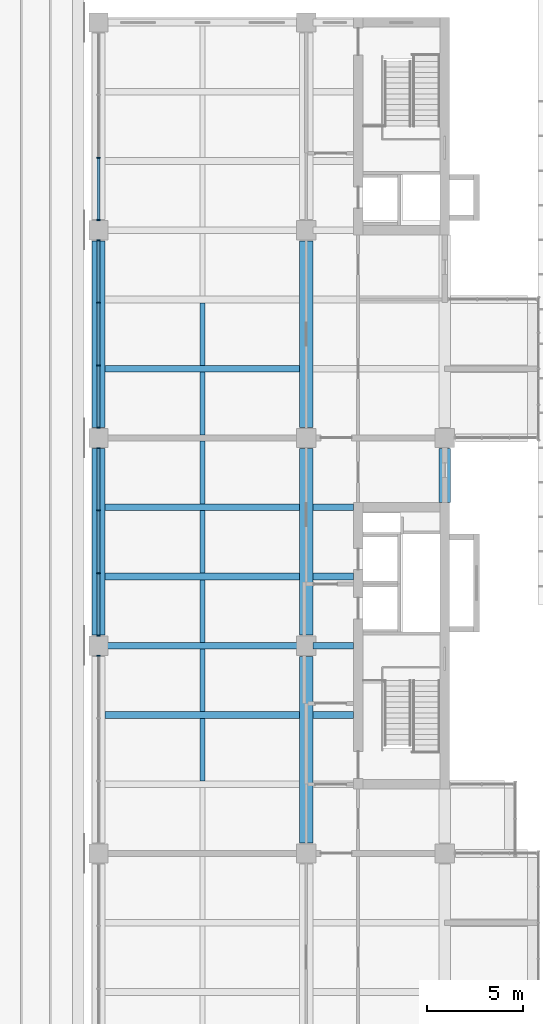
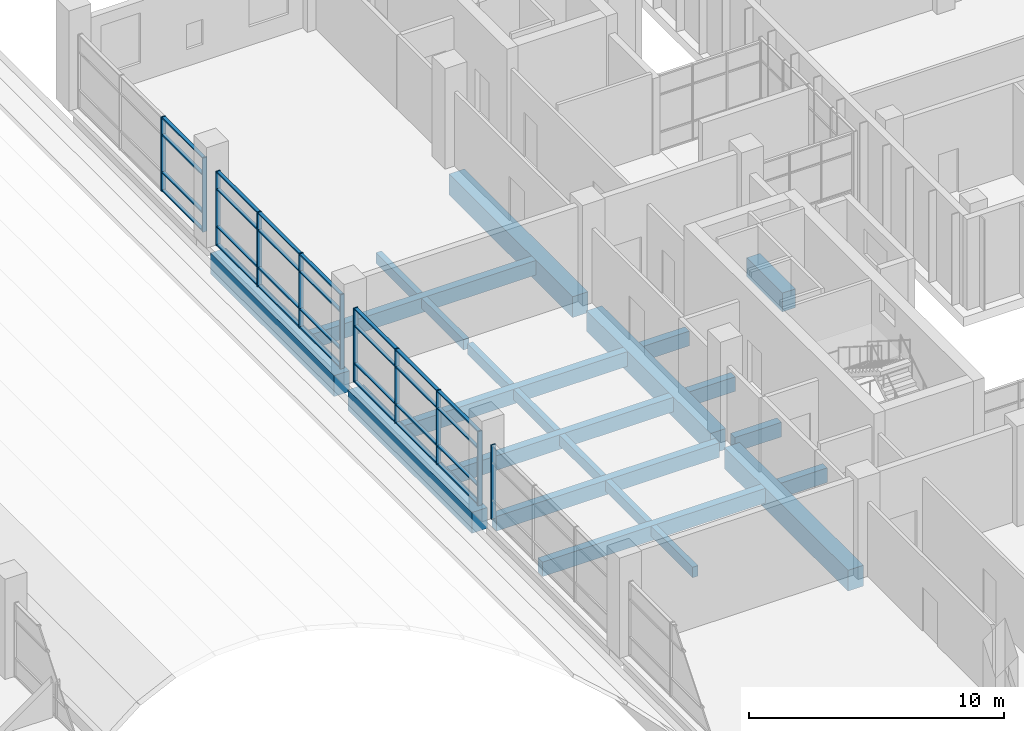
# One storey, part 14 of 45: 39 members, 22 beams, 4 elements without a shape of their own.
"""IFC4 building model written with IfcOpenShell, lengths in metres."""

from ifc_helpers import new_model, si_unit, direction, frame, origin, origin_2d, place, context, subcontext, project, spatial, rectangle, extrude, material, layer, layer_set, material_profile, profile_set, type_object, element, aggregate, save


model = new_model("IFC4")

# Units and contexts
model_context = context("Model", 3, precision=1e-05, world=origin(), true_north=direction((0.0, 1.0)))
body_context = subcontext(model_context, "Body", "Model", "MODEL_VIEW")
ifc_project = project(units=[si_unit("LENGTHUNIT", "METRE"), si_unit("AREAUNIT", "SQUARE_METRE"), si_unit("VOLUMEUNIT", "CUBIC_METRE"), si_unit("PLANEANGLEUNIT", "RADIAN"), si_unit("MASSUNIT", "GRAM", prefix="KILO")], contexts=[model_context])

# Site, building, storey
site_placement = place(None, origin())
site = spatial("IfcSite", under=ifc_project, at=site_placement, CompositionType="ELEMENT")
building_placement = place(site_placement, origin())
building = spatial("IfcBuilding", under=site, at=building_placement, Name="Basin Gate Institute", CompositionType="ELEMENT")
storey_placement = place(building_placement, frame((0.0, 0.0, 22.199951171875)))
storey = spatial("IfcBuildingStorey", under=building, at=storey_placement, Name="L04", CompositionType="ELEMENT", Elevation=22.199951171875)

# Beams
ifc_material_1 = material(Name="Concrete 40 MPa", Category="concrete")
ifc_material_profile_1 = material_profile(ifc_material_1, rectangle(XDim=0.35009765625, YDim=0.699951171875, at=origin_2d()), Name="Beam B1 350 x 700")
ifc_profile_set_1 = profile_set([ifc_material_profile_1], Name="Concrete 40 MPa")
beam_type_1 = type_object("IfcBeamType", Name="Beam B1 R120", PredefinedType="BEAM", material=ifc_profile_set_1)
beam_1_placement = place(storey_placement, frame((111.25, 63.89990234375, -0.599853515625), z_axis=(-1.0, 0.0, 0.0), x_axis=(0.0, -1.0, 0.0)))
element("IfcBeam", 1, at=beam_1_placement, inside=storey, type_object=beam_type_1, material=ifc_profile_set_1, Name="BEAM/L04/E/EW/09", PredefinedType="BEAM", context=body_context, shape_type="SweptSolid", body=[
    extrude(rectangle(XDim=0.35009765625, YDim=0.699951171875, at=origin_2d()), origin(), (0.0, 0.0, 1.0), 10.10009765625),
])
beam_2_placement = place(storey_placement, frame((114.050048828125, 63.89990234375, -0.599853515625), z_axis=(-1.0, 0.0, 0.0), x_axis=(0.0, -1.0, 0.0)))
element("IfcBeam", 2, at=beam_2_placement, inside=storey, type_object=beam_type_1, material=ifc_profile_set_1, Name="BEAM/L04/E/CORR/09", PredefinedType="BEAM", context=body_context, shape_type="SweptSolid", body=[
    extrude(rectangle(XDim=0.35009765625, YDim=0.699951171875, at=origin_2d()), origin(), (0.0, 0.0, 1.0), 2.10009765625),
])
beam_3_placement = place(storey_placement, frame((111.25, 67.5, -0.599853515625), z_axis=(-1.0, 0.0, 0.0), x_axis=(0.0, -1.0, 0.0)))
element("IfcBeam", 3, at=beam_3_placement, inside=storey, type_object=beam_type_1, material=ifc_profile_set_1, Name="BEAM/L04/E/EW/10", PredefinedType="BEAM", context=body_context, shape_type="SweptSolid", body=[
    extrude(rectangle(XDim=0.35009765625, YDim=0.699951171875, at=origin_2d()), origin(), (0.0, 0.0, 1.0), 10.10009765625),
])
beam_4_placement = place(storey_placement, frame((114.050048828125, 67.5, -0.599853515625), z_axis=(-1.0, 0.0, 0.0), x_axis=(0.0, -1.0, 0.0)))
element("IfcBeam", 4, at=beam_4_placement, inside=storey, type_object=beam_type_1, material=ifc_profile_set_1, Name="BEAM/L04/E/CORR/10", PredefinedType="BEAM", context=body_context, shape_type="SweptSolid", body=[
    extrude(rectangle(XDim=0.35009765625, YDim=0.699951171875, at=origin_2d()), origin(), (0.0, 0.0, 1.0), 2.10009765625),
])
beam_5_placement = place(storey_placement, frame((111.25, 71.10009765625, -0.599853515625), z_axis=(-1.0, 0.0, 0.0), x_axis=(0.0, -1.0, 0.0)))
element("IfcBeam", 5, at=beam_5_placement, inside=storey, type_object=beam_type_1, material=ifc_profile_set_1, Name="BEAM/L04/E/EW/11", PredefinedType="BEAM", context=body_context, shape_type="SweptSolid", body=[
    extrude(rectangle(XDim=0.35009765625, YDim=0.699951171875, at=origin_2d()), origin(), (0.0, 0.0, 1.0), 10.10009765625),
])
beam_6_placement = place(storey_placement, frame((114.050048828125, 71.10009765625, -0.599853515625), z_axis=(-1.0, 0.0, 0.0), x_axis=(0.0, -1.0, 0.0)))
element("IfcBeam", 6, at=beam_6_placement, inside=storey, type_object=beam_type_1, material=ifc_profile_set_1, Name="BEAM/L04/E/CORR/11", PredefinedType="BEAM", context=body_context, shape_type="SweptSolid", body=[
    extrude(rectangle(XDim=0.35009765625, YDim=0.699951171875, at=origin_2d()), origin(), (0.0, 0.0, 1.0), 2.10009765625),
])
beam_7_placement = place(storey_placement, frame((111.25, 74.699951171875, -0.599853515625), z_axis=(-1.0, 0.0, 0.0), x_axis=(0.0, -1.0, 0.0)))
element("IfcBeam", 7, at=beam_7_placement, inside=storey, type_object=beam_type_1, material=ifc_profile_set_1, Name="BEAM/L04/E/EW/12", PredefinedType="BEAM", context=body_context, shape_type="SweptSolid", body=[
    extrude(rectangle(XDim=0.35009765625, YDim=0.699951171875, at=origin_2d()), origin(), (0.0, 0.0, 1.0), 10.10009765625),
])
beam_8_placement = place(storey_placement, frame((114.050048828125, 74.699951171875, -0.599853515625), z_axis=(-1.0, 0.0, 0.0), x_axis=(0.0, -1.0, 0.0)))
element("IfcBeam", 8, at=beam_8_placement, inside=storey, type_object=beam_type_1, material=ifc_profile_set_1, Name="BEAM/L04/E/CORR/12", PredefinedType="BEAM", context=body_context, shape_type="SweptSolid", body=[
    extrude(rectangle(XDim=0.35009765625, YDim=0.699951171875, at=origin_2d()), origin(), (0.0, 0.0, 1.0), 2.10009765625),
])
beam_9_placement = place(storey_placement, frame((111.25, 81.89990234375, -0.599853515625), z_axis=(-1.0, 0.0, 0.0), x_axis=(0.0, -1.0, 0.0)))
element("IfcBeam", 9, at=beam_9_placement, inside=storey, type_object=beam_type_1, material=ifc_profile_set_1, Name="BEAM/L04/E/EW/14", PredefinedType="BEAM", context=body_context, shape_type="SweptSolid", body=[
    extrude(rectangle(XDim=0.35009765625, YDim=0.699951171875, at=origin_2d()), origin(), (0.0, 0.0, 1.0), 10.10009765625),
])
ifc_material_2 = material(Name="Concrete 50 MPa", Category="concrete")
ifc_material_profile_2 = material_profile(ifc_material_2, rectangle(XDim=0.60009765625, YDim=0.89990234375, at=origin_2d()), Name="Edge return beam EB3 600 x 900")
ifc_profile_set_2 = profile_set([ifc_material_profile_2], Name="Concrete 50 MPa")
beam_type_2 = type_object("IfcBeamType", Name="Edge return beam EB3 R120", PredefinedType="SPANDREL", material=ifc_profile_set_2)
beam_10_placement = place(storey_placement, frame((118.800048828125, 74.949951171875, -0.699951171875), z_axis=(0.0, 1.0, 0.0), x_axis=(-1.0, 0.0, 0.0)))
element("IfcBeam", 10, at=beam_10_placement, inside=storey, type_object=beam_type_2, material=ifc_profile_set_2, Name="BEAM/L04/E/EDGE/3", PredefinedType="SPANDREL", context=body_context, shape_type="SweptSolid", body=[
    extrude(rectangle(XDim=0.60009765625, YDim=0.89990234375, at=origin_2d()), origin(), (0.0, 0.0, 1.0), 2.800048828125),
])
ifc_material_3 = material(Name="Concrete 50 MPa", Category="concrete")
ifc_material_profile_3 = material_profile(ifc_material_3, rectangle(XDim=0.699951171875, YDim=1.0, at=origin_2d()), Name="Girder G1 700 x 1000")
ifc_profile_set_3 = profile_set([ifc_material_profile_3], Name="Concrete 50 MPa")
beam_type_3 = type_object("IfcBeamType", Name="Girder G1 R120", PredefinedType="BEAM", material=ifc_profile_set_3)
for number, where, z_axis, x_axis, name in (
    (11, (111.60009765625, 57.25, -0.75), (0.0, 1.0, 0.0), (-1.0, 0.0, 0.0), "GIR/L04/E8/3"),
    (12, (111.60009765625, 68.050048828125, -0.75), (0.0, 1.0, 0.0), (-1.0, 0.0, 0.0), "GIR/L04/E8/4"),
    (13, (111.60009765625, 78.85009765625, -0.75), (0.0, 1.0, 0.0), (-1.0, 0.0, 0.0), "GIR/L04/E8/5"),
    (14, (100.800048828125, 68.050048828125, -0.75), (0.0, 1.0, 0.0), (-1.0, 0.0, 0.0), "GIR/L04/E7/4"),
    (15, (100.800048828125, 78.85009765625, -0.75), (0.0, 1.0, 0.0), (-1.0, 0.0, 0.0), "GIR/L04/E7/5"),
):
    element("IfcBeam", number, at=place(storey_placement, frame(where, z_axis=z_axis, x_axis=x_axis)), inside=storey, type_object=beam_type_3, material=ifc_profile_set_3, Name=name, PredefinedType="BEAM", context=body_context, shape_type="SweptSolid", body=[
        extrude(rectangle(XDim=0.699951171875, YDim=1.0, at=origin_2d()), origin(), (0.0, 0.0, 1.0), 9.699951171875),
    ])

# Curtain wall, member
ifc_material_4 = material(Name="Aluminium-framed glazing", Category="aluminium")
ifc_layer = layer(ifc_material_4, 0.199951171875)
ifc_layer_set = layer_set([ifc_layer], Name="Atrium curtain wall CW2")
curtain_wall_type = type_object("IfcCurtainWallType", Name="Atrium curtain wall CW2", PredefinedType="NOTDEFINED", material=ifc_layer_set)
curtain_wall_1_placement = place(storey_placement, origin())
curtain_wall_1 = element("IfcCurtainWall", 16, at=curtain_wall_1_placement, inside=storey, type_object=curtain_wall_type, material=ifc_layer_set, Name="Atrium curtain wall E wing atrium bay 3 L04", PredefinedType="NOTDEFINED")
ifc_material_5 = material(Name="Aluminium", Category="aluminium")
ifc_material_profile_4 = material_profile(ifc_material_5, rectangle(XDim=0.199951171875, YDim=0.06005859375, at=origin_2d()), Name="Mullion MU2 200 x 60")
ifc_profile_set_4 = profile_set([ifc_material_profile_4], Name="Aluminium")
member_type_1 = type_object("IfcMemberType", Name="Mullion MU2", PredefinedType="MULLION", material=ifc_profile_set_4)
member_1_placement = place(storey_placement, frame((100.800048828125, 66.969970703125, 0.0), z_axis=(0.0, 0.0, 1.0), x_axis=(-1.0, 0.0, 0.0)))
member_1 = element("IfcMember", 17, at=member_1_placement, type_object=member_type_1, material=ifc_profile_set_4, Name="CW2 mullion 4", PredefinedType="MULLION", context=body_context, shape_type="SweptSolid", body=[
    extrude(rectangle(XDim=0.199951171875, YDim=0.06005859375, at=origin_2d()), origin(), (0.0, 0.0, 1.0), 3.550048828125),
])
aggregate(curtain_wall_1, [member_1])

# Curtain wall, members
curtain_wall_2_placement = place(storey_placement, origin())
curtain_wall_2 = element("IfcCurtainWall", 18, at=curtain_wall_2_placement, inside=storey, type_object=curtain_wall_type, material=ifc_layer_set, Name="Atrium curtain wall E wing atrium bay 4 L04", PredefinedType="NOTDEFINED")
member_2_placement = place(storey_placement, frame((100.800048828125, 68.030029296875, 0.0), z_axis=(0.0, 0.0, 1.0), x_axis=(-1.0, 0.0, 0.0)))
member_2 = element("IfcMember", 19, at=member_2_placement, type_object=member_type_1, material=ifc_profile_set_4, Name="CW2 mullion 1", PredefinedType="MULLION", context=body_context, shape_type="SweptSolid", body=[
    extrude(rectangle(XDim=0.199951171875, YDim=0.06005859375, at=origin_2d()), origin(), (0.0, 0.0, 1.0), 3.550048828125),
])
member_3_placement = place(storey_placement, frame((100.800048828125, 71.2666015625, 0.0), z_axis=(0.0, 0.0, 1.0), x_axis=(-1.0, 0.0, 0.0)))
member_3 = element("IfcMember", 20, at=member_3_placement, type_object=member_type_1, material=ifc_profile_set_4, Name="CW2 mullion 2", PredefinedType="MULLION", context=body_context, shape_type="SweptSolid", body=[
    extrude(rectangle(XDim=0.199951171875, YDim=0.06005859375, at=origin_2d()), origin(), (0.0, 0.0, 1.0), 3.550048828125),
])
member_4_placement = place(storey_placement, frame((100.800048828125, 74.533447265625, 0.0), z_axis=(0.0, 0.0, 1.0), x_axis=(-1.0, 0.0, 0.0)))
member_4 = element("IfcMember", 21, at=member_4_placement, type_object=member_type_1, material=ifc_profile_set_4, Name="CW2 mullion 3", PredefinedType="MULLION", context=body_context, shape_type="SweptSolid", body=[
    extrude(rectangle(XDim=0.199951171875, YDim=0.06005859375, at=origin_2d()), origin(), (0.0, 0.0, 1.0), 3.550048828125),
])
member_5_placement = place(storey_placement, frame((100.800048828125, 77.77001953125, 0.0), z_axis=(0.0, 0.0, 1.0), x_axis=(-1.0, 0.0, 0.0)))
member_5 = element("IfcMember", 22, at=member_5_placement, type_object=member_type_1, material=ifc_profile_set_4, Name="CW2 mullion 4", PredefinedType="MULLION", context=body_context, shape_type="SweptSolid", body=[
    extrude(rectangle(XDim=0.199951171875, YDim=0.06005859375, at=origin_2d()), origin(), (0.0, 0.0, 1.0), 3.550048828125),
])

curtain_wall_3_placement = place(storey_placement, origin())
curtain_wall_3 = element("IfcCurtainWall", 23, at=curtain_wall_3_placement, inside=storey, type_object=curtain_wall_type, material=ifc_layer_set, Name="Atrium curtain wall E wing atrium bay 5 L04", PredefinedType="NOTDEFINED")
member_6_placement = place(storey_placement, frame((100.800048828125, 78.830078125, 0.0), z_axis=(0.0, 0.0, 1.0), x_axis=(-1.0, 0.0, 0.0)))
member_6 = element("IfcMember", 24, at=member_6_placement, type_object=member_type_1, material=ifc_profile_set_4, Name="CW2 mullion 1", PredefinedType="MULLION", context=body_context, shape_type="SweptSolid", body=[
    extrude(rectangle(XDim=0.199951171875, YDim=0.06005859375, at=origin_2d()), origin(), (0.0, 0.0, 1.0), 3.550048828125),
])
member_7_placement = place(storey_placement, frame((100.800048828125, 82.066650390625, 0.0), z_axis=(0.0, 0.0, 1.0), x_axis=(-1.0, 0.0, 0.0)))
member_7 = element("IfcMember", 25, at=member_7_placement, type_object=member_type_1, material=ifc_profile_set_4, Name="CW2 mullion 2", PredefinedType="MULLION", context=body_context, shape_type="SweptSolid", body=[
    extrude(rectangle(XDim=0.199951171875, YDim=0.06005859375, at=origin_2d()), origin(), (0.0, 0.0, 1.0), 3.550048828125),
])
member_8_placement = place(storey_placement, frame((100.800048828125, 85.333251953125, 0.0), z_axis=(0.0, 0.0, 1.0), x_axis=(-1.0, 0.0, 0.0)))
member_8 = element("IfcMember", 26, at=member_8_placement, type_object=member_type_1, material=ifc_profile_set_4, Name="CW2 mullion 3", PredefinedType="MULLION", context=body_context, shape_type="SweptSolid", body=[
    extrude(rectangle(XDim=0.199951171875, YDim=0.06005859375, at=origin_2d()), origin(), (0.0, 0.0, 1.0), 3.550048828125),
])
member_9_placement = place(storey_placement, frame((100.800048828125, 88.570068359375, 0.0), z_axis=(0.0, 0.0, 1.0), x_axis=(-1.0, 0.0, 0.0)))
member_9 = element("IfcMember", 27, at=member_9_placement, type_object=member_type_1, material=ifc_profile_set_4, Name="CW2 mullion 4", PredefinedType="MULLION", context=body_context, shape_type="SweptSolid", body=[
    extrude(rectangle(XDim=0.199951171875, YDim=0.06005859375, at=origin_2d()), origin(), (0.0, 0.0, 1.0), 3.550048828125),
])

curtain_wall_4_placement = place(storey_placement, origin())
curtain_wall_4 = element("IfcCurtainWall", 28, at=curtain_wall_4_placement, inside=storey, type_object=curtain_wall_type, material=ifc_layer_set, Name="Atrium curtain wall E wing atrium bay 6 L04", PredefinedType="NOTDEFINED")
member_10_placement = place(storey_placement, frame((100.800048828125, 89.6298828125, 0.0), z_axis=(0.0, 0.0, 1.0), x_axis=(-1.0, 0.0, 0.0)))
member_10 = element("IfcMember", 29, at=member_10_placement, type_object=member_type_1, material=ifc_profile_set_4, Name="CW2 mullion 1", PredefinedType="MULLION", context=body_context, shape_type="SweptSolid", body=[
    extrude(rectangle(XDim=0.199951171875, YDim=0.06005859375, at=origin_2d()), origin(), (0.0, 0.0, 1.0), 3.550048828125),
])
member_11_placement = place(storey_placement, frame((100.800048828125, 92.86669921875, 0.0), z_axis=(0.0, 0.0, 1.0), x_axis=(-1.0, 0.0, 0.0)))
member_11 = element("IfcMember", 30, at=member_11_placement, type_object=member_type_1, material=ifc_profile_set_4, Name="CW2 mullion 2", PredefinedType="MULLION", context=body_context, shape_type="SweptSolid", body=[
    extrude(rectangle(XDim=0.199951171875, YDim=0.06005859375, at=origin_2d()), origin(), (0.0, 0.0, 1.0), 3.550048828125),
])

# Beams
ifc_material_6 = material(Name="Concrete 40 MPa", Category="concrete")
ifc_material_profile_5 = material_profile(ifc_material_6, rectangle(XDim=0.25, YDim=0.5, at=origin_2d()), Name="Rib R1 250 x 500")
ifc_profile_set_5 = profile_set([ifc_material_profile_5], Name="Concrete 40 MPa")
beam_type_4 = type_object("IfcBeamType", Name="Rib R1 R120", PredefinedType="JOIST", material=ifc_profile_set_5)
for number, where, z_axis, x_axis, name in (
    (31, (106.199951171875, 60.47509765625, -0.5), (0.0, 1.0, 0.0), (-1.0, 0.0, 0.0), "BEAM/L04/E/RIB/08"),
    (32, (106.199951171875, 64.074951171875, -0.5), (0.0, 1.0, 0.0), (-1.0, 0.0, 0.0), "BEAM/L04/E/RIB/09"),
    (33, (106.199951171875, 67.675048828125, -0.5), (0.0, 1.0, 0.0), (-1.0, 0.0, 0.0), "BEAM/L04/E/RIB/10"),
    (34, (106.199951171875, 71.27490234375, -0.5), (0.0, 1.0, 0.0), (-1.0, 0.0, 0.0), "BEAM/L04/E/RIB/11"),
):
    element("IfcBeam", number, at=place(storey_placement, frame(where, z_axis=z_axis, x_axis=x_axis)), inside=storey, type_object=beam_type_4, material=ifc_profile_set_5, Name=name, PredefinedType="JOIST", context=body_context, shape_type="SweptSolid", body=[
        extrude(rectangle(XDim=0.25, YDim=0.5, at=origin_2d()), origin(), (0.0, 0.0, 1.0), 3.25),
    ])
beam_11_placement = place(storey_placement, frame((106.199951171875, 74.875, -0.5), z_axis=(0.0, 1.0, 0.0), x_axis=(-1.0, 0.0, 0.0)))
element("IfcBeam", 35, at=beam_11_placement, inside=storey, type_object=beam_type_4, material=ifc_profile_set_5, Name="BEAM/L04/E/RIB/12", PredefinedType="JOIST", context=body_context, shape_type="SweptSolid", body=[
    extrude(rectangle(XDim=0.25, YDim=0.5, at=origin_2d()), origin(), (0.0, 0.0, 1.0), 3.27490234375),
])
beam_12_placement = place(storey_placement, frame((106.199951171875, 78.449951171875, -0.5), z_axis=(0.0, 1.0, 0.0), x_axis=(-1.0, 0.0, 0.0)))
element("IfcBeam", 36, at=beam_12_placement, inside=storey, type_object=beam_type_4, material=ifc_profile_set_5, Name="BEAM/L04/E/RIB/13", PredefinedType="JOIST", context=body_context, shape_type="SweptSolid", body=[
    extrude(rectangle(XDim=0.25, YDim=0.5, at=origin_2d()), origin(), (0.0, 0.0, 1.0), 3.275146484375),
])
beam_13_placement = place(storey_placement, frame((106.199951171875, 82.074951171875, -0.5), z_axis=(0.0, 1.0, 0.0), x_axis=(-1.0, 0.0, 0.0)))
element("IfcBeam", 37, at=beam_13_placement, inside=storey, type_object=beam_type_4, material=ifc_profile_set_5, Name="BEAM/L04/E/RIB/14", PredefinedType="JOIST", context=body_context, shape_type="SweptSolid", body=[
    extrude(rectangle(XDim=0.25, YDim=0.5, at=origin_2d()), origin(), (0.0, 0.0, 1.0), 3.25),
])

# Member
ifc_material_7 = material(Name="Aluminium", Category="aluminium")
ifc_material_profile_6 = material_profile(ifc_material_7, rectangle(XDim=0.14990234375, YDim=0.06005859375, at=origin_2d()), Name="Transom TR2 150 x 60")
ifc_profile_set_6 = profile_set([ifc_material_profile_6], Name="Aluminium")
member_type_2 = type_object("IfcMemberType", Name="Transom TR2", PredefinedType="USERDEFINED", material=ifc_profile_set_6)
member_12_placement = place(storey_placement, frame((100.800048828125, 68.06005859375, 0.030029296875), z_axis=(0.0, 1.0, 0.0), x_axis=(-1.0, 0.0, 0.0)))
member_12 = element("IfcMember", 38, at=member_12_placement, type_object=member_type_2, material=ifc_profile_set_6, Name="CW2 transom 1.1", ObjectType="TRANSOM", PredefinedType="USERDEFINED", context=body_context, shape_type="SweptSolid", body=[
    extrude(rectangle(XDim=0.14990234375, YDim=0.06005859375, at=origin_2d()), origin(), (0.0, 0.0, 1.0), 3.176513671875),
])

member_13_placement = place(storey_placement, frame((100.800048828125, 68.06005859375, 0.900146484375), z_axis=(0.0, 1.0, 0.0), x_axis=(-1.0, 0.0, 0.0)))
member_13 = element("IfcMember", 39, at=member_13_placement, type_object=member_type_2, material=ifc_profile_set_6, Name="CW2 transom 1.2", ObjectType="TRANSOM", PredefinedType="USERDEFINED", context=body_context, shape_type="SweptSolid", body=[
    extrude(rectangle(XDim=0.14990234375, YDim=0.06005859375, at=origin_2d()), origin(), (0.0, 0.0, 1.0), 3.176513671875),
])

member_14_placement = place(storey_placement, frame((100.800048828125, 68.06005859375, 2.699951171875), z_axis=(0.0, 1.0, 0.0), x_axis=(-1.0, 0.0, 0.0)))
member_14 = element("IfcMember", 40, at=member_14_placement, type_object=member_type_2, material=ifc_profile_set_6, Name="CW2 transom 1.3", ObjectType="TRANSOM", PredefinedType="USERDEFINED", context=body_context, shape_type="SweptSolid", body=[
    extrude(rectangle(XDim=0.14990234375, YDim=0.06005859375, at=origin_2d()), origin(), (0.0, 0.0, 1.0), 3.176513671875),
])

member_15_placement = place(storey_placement, frame((100.800048828125, 68.06005859375, 3.52001953125), z_axis=(0.0, 1.0, 0.0), x_axis=(-1.0, 0.0, 0.0)))
member_15 = element("IfcMember", 41, at=member_15_placement, type_object=member_type_2, material=ifc_profile_set_6, Name="CW2 transom 1.4", ObjectType="TRANSOM", PredefinedType="USERDEFINED", context=body_context, shape_type="SweptSolid", body=[
    extrude(rectangle(XDim=0.14990234375, YDim=0.06005859375, at=origin_2d()), origin(), (0.0, 0.0, 1.0), 3.176513671875),
])

member_16_placement = place(storey_placement, frame((100.800048828125, 71.296630859375, 0.030029296875), z_axis=(0.0, 1.0, 0.0), x_axis=(-1.0, 0.0, 0.0)))
member_16 = element("IfcMember", 42, at=member_16_placement, type_object=member_type_2, material=ifc_profile_set_6, Name="CW2 transom 2.1", ObjectType="TRANSOM", PredefinedType="USERDEFINED", context=body_context, shape_type="SweptSolid", body=[
    extrude(rectangle(XDim=0.14990234375, YDim=0.06005859375, at=origin_2d()), origin(), (0.0, 0.0, 1.0), 3.206787109375),
])

member_17_placement = place(storey_placement, frame((100.800048828125, 71.296630859375, 0.900146484375), z_axis=(0.0, 1.0, 0.0), x_axis=(-1.0, 0.0, 0.0)))
member_17 = element("IfcMember", 43, at=member_17_placement, type_object=member_type_2, material=ifc_profile_set_6, Name="CW2 transom 2.2", ObjectType="TRANSOM", PredefinedType="USERDEFINED", context=body_context, shape_type="SweptSolid", body=[
    extrude(rectangle(XDim=0.14990234375, YDim=0.06005859375, at=origin_2d()), origin(), (0.0, 0.0, 1.0), 3.206787109375),
])

member_18_placement = place(storey_placement, frame((100.800048828125, 71.296630859375, 2.699951171875), z_axis=(0.0, 1.0, 0.0), x_axis=(-1.0, 0.0, 0.0)))
member_18 = element("IfcMember", 44, at=member_18_placement, type_object=member_type_2, material=ifc_profile_set_6, Name="CW2 transom 2.3", ObjectType="TRANSOM", PredefinedType="USERDEFINED", context=body_context, shape_type="SweptSolid", body=[
    extrude(rectangle(XDim=0.14990234375, YDim=0.06005859375, at=origin_2d()), origin(), (0.0, 0.0, 1.0), 3.206787109375),
])

member_19_placement = place(storey_placement, frame((100.800048828125, 71.296630859375, 3.52001953125), z_axis=(0.0, 1.0, 0.0), x_axis=(-1.0, 0.0, 0.0)))
member_19 = element("IfcMember", 45, at=member_19_placement, type_object=member_type_2, material=ifc_profile_set_6, Name="CW2 transom 2.4", ObjectType="TRANSOM", PredefinedType="USERDEFINED", context=body_context, shape_type="SweptSolid", body=[
    extrude(rectangle(XDim=0.14990234375, YDim=0.06005859375, at=origin_2d()), origin(), (0.0, 0.0, 1.0), 3.206787109375),
])

member_20_placement = place(storey_placement, frame((100.800048828125, 74.563232421875, 0.030029296875), z_axis=(0.0, 1.0, 0.0), x_axis=(-1.0, 0.0, 0.0)))
member_20 = element("IfcMember", 46, at=member_20_placement, type_object=member_type_2, material=ifc_profile_set_6, Name="CW2 transom 3.1", ObjectType="TRANSOM", PredefinedType="USERDEFINED", context=body_context, shape_type="SweptSolid", body=[
    extrude(rectangle(XDim=0.14990234375, YDim=0.06005859375, at=origin_2d()), origin(), (0.0, 0.0, 1.0), 3.1767578125),
])

member_21_placement = place(storey_placement, frame((100.800048828125, 74.563232421875, 0.900146484375), z_axis=(0.0, 1.0, 0.0), x_axis=(-1.0, 0.0, 0.0)))
member_21 = element("IfcMember", 47, at=member_21_placement, type_object=member_type_2, material=ifc_profile_set_6, Name="CW2 transom 3.2", ObjectType="TRANSOM", PredefinedType="USERDEFINED", context=body_context, shape_type="SweptSolid", body=[
    extrude(rectangle(XDim=0.14990234375, YDim=0.06005859375, at=origin_2d()), origin(), (0.0, 0.0, 1.0), 3.1767578125),
])

member_22_placement = place(storey_placement, frame((100.800048828125, 74.563232421875, 2.699951171875), z_axis=(0.0, 1.0, 0.0), x_axis=(-1.0, 0.0, 0.0)))
member_22 = element("IfcMember", 48, at=member_22_placement, type_object=member_type_2, material=ifc_profile_set_6, Name="CW2 transom 3.3", ObjectType="TRANSOM", PredefinedType="USERDEFINED", context=body_context, shape_type="SweptSolid", body=[
    extrude(rectangle(XDim=0.14990234375, YDim=0.06005859375, at=origin_2d()), origin(), (0.0, 0.0, 1.0), 3.1767578125),
])

member_23_placement = place(storey_placement, frame((100.800048828125, 74.563232421875, 3.52001953125), z_axis=(0.0, 1.0, 0.0), x_axis=(-1.0, 0.0, 0.0)))
member_23 = element("IfcMember", 49, at=member_23_placement, type_object=member_type_2, material=ifc_profile_set_6, Name="CW2 transom 3.4", ObjectType="TRANSOM", PredefinedType="USERDEFINED", context=body_context, shape_type="SweptSolid", body=[
    extrude(rectangle(XDim=0.14990234375, YDim=0.06005859375, at=origin_2d()), origin(), (0.0, 0.0, 1.0), 3.1767578125),
])

aggregate(curtain_wall_2, [member_2, member_3, member_4, member_5, member_12, member_13, member_14, member_15, member_16, member_17, member_18, member_19, member_20, member_21, member_22, member_23])

member_24_placement = place(storey_placement, frame((100.800048828125, 78.860107421875, 0.030029296875), z_axis=(0.0, 1.0, 0.0), x_axis=(-1.0, 0.0, 0.0)))
member_24 = element("IfcMember", 50, at=member_24_placement, type_object=member_type_2, material=ifc_profile_set_6, Name="CW2 transom 1.1", ObjectType="TRANSOM", PredefinedType="USERDEFINED", context=body_context, shape_type="SweptSolid", body=[
    extrude(rectangle(XDim=0.14990234375, YDim=0.06005859375, at=origin_2d()), origin(), (0.0, 0.0, 1.0), 3.176513671875),
])

member_25_placement = place(storey_placement, frame((100.800048828125, 78.860107421875, 0.900146484375), z_axis=(0.0, 1.0, 0.0), x_axis=(-1.0, 0.0, 0.0)))
member_25 = element("IfcMember", 51, at=member_25_placement, type_object=member_type_2, material=ifc_profile_set_6, Name="CW2 transom 1.2", ObjectType="TRANSOM", PredefinedType="USERDEFINED", context=body_context, shape_type="SweptSolid", body=[
    extrude(rectangle(XDim=0.14990234375, YDim=0.06005859375, at=origin_2d()), origin(), (0.0, 0.0, 1.0), 3.176513671875),
])

member_26_placement = place(storey_placement, frame((100.800048828125, 78.860107421875, 2.699951171875), z_axis=(0.0, 1.0, 0.0), x_axis=(-1.0, 0.0, 0.0)))
member_26 = element("IfcMember", 52, at=member_26_placement, type_object=member_type_2, material=ifc_profile_set_6, Name="CW2 transom 1.3", ObjectType="TRANSOM", PredefinedType="USERDEFINED", context=body_context, shape_type="SweptSolid", body=[
    extrude(rectangle(XDim=0.14990234375, YDim=0.06005859375, at=origin_2d()), origin(), (0.0, 0.0, 1.0), 3.176513671875),
])

member_27_placement = place(storey_placement, frame((100.800048828125, 78.860107421875, 3.52001953125), z_axis=(0.0, 1.0, 0.0), x_axis=(-1.0, 0.0, 0.0)))
member_27 = element("IfcMember", 53, at=member_27_placement, type_object=member_type_2, material=ifc_profile_set_6, Name="CW2 transom 1.4", ObjectType="TRANSOM", PredefinedType="USERDEFINED", context=body_context, shape_type="SweptSolid", body=[
    extrude(rectangle(XDim=0.14990234375, YDim=0.06005859375, at=origin_2d()), origin(), (0.0, 0.0, 1.0), 3.176513671875),
])

member_28_placement = place(storey_placement, frame((100.800048828125, 82.0966796875, 0.030029296875), z_axis=(0.0, 1.0, 0.0), x_axis=(-1.0, 0.0, 0.0)))
member_28 = element("IfcMember", 54, at=member_28_placement, type_object=member_type_2, material=ifc_profile_set_6, Name="CW2 transom 2.1", ObjectType="TRANSOM", PredefinedType="USERDEFINED", context=body_context, shape_type="SweptSolid", body=[
    extrude(rectangle(XDim=0.14990234375, YDim=0.06005859375, at=origin_2d()), origin(), (0.0, 0.0, 1.0), 3.20654296875),
])

member_29_placement = place(storey_placement, frame((100.800048828125, 82.0966796875, 0.900146484375), z_axis=(0.0, 1.0, 0.0), x_axis=(-1.0, 0.0, 0.0)))
member_29 = element("IfcMember", 55, at=member_29_placement, type_object=member_type_2, material=ifc_profile_set_6, Name="CW2 transom 2.2", ObjectType="TRANSOM", PredefinedType="USERDEFINED", context=body_context, shape_type="SweptSolid", body=[
    extrude(rectangle(XDim=0.14990234375, YDim=0.06005859375, at=origin_2d()), origin(), (0.0, 0.0, 1.0), 3.20654296875),
])

member_30_placement = place(storey_placement, frame((100.800048828125, 82.0966796875, 2.699951171875), z_axis=(0.0, 1.0, 0.0), x_axis=(-1.0, 0.0, 0.0)))
member_30 = element("IfcMember", 56, at=member_30_placement, type_object=member_type_2, material=ifc_profile_set_6, Name="CW2 transom 2.3", ObjectType="TRANSOM", PredefinedType="USERDEFINED", context=body_context, shape_type="SweptSolid", body=[
    extrude(rectangle(XDim=0.14990234375, YDim=0.06005859375, at=origin_2d()), origin(), (0.0, 0.0, 1.0), 3.20654296875),
])

member_31_placement = place(storey_placement, frame((100.800048828125, 82.0966796875, 3.52001953125), z_axis=(0.0, 1.0, 0.0), x_axis=(-1.0, 0.0, 0.0)))
member_31 = element("IfcMember", 57, at=member_31_placement, type_object=member_type_2, material=ifc_profile_set_6, Name="CW2 transom 2.4", ObjectType="TRANSOM", PredefinedType="USERDEFINED", context=body_context, shape_type="SweptSolid", body=[
    extrude(rectangle(XDim=0.14990234375, YDim=0.06005859375, at=origin_2d()), origin(), (0.0, 0.0, 1.0), 3.20654296875),
])

member_32_placement = place(storey_placement, frame((100.800048828125, 85.36328125, 0.030029296875), z_axis=(0.0, 1.0, 0.0), x_axis=(-1.0, 0.0, 0.0)))
member_32 = element("IfcMember", 58, at=member_32_placement, type_object=member_type_2, material=ifc_profile_set_6, Name="CW2 transom 3.1", ObjectType="TRANSOM", PredefinedType="USERDEFINED", context=body_context, shape_type="SweptSolid", body=[
    extrude(rectangle(XDim=0.14990234375, YDim=0.06005859375, at=origin_2d()), origin(), (0.0, 0.0, 1.0), 3.1767578125),
])

member_33_placement = place(storey_placement, frame((100.800048828125, 85.36328125, 0.900146484375), z_axis=(0.0, 1.0, 0.0), x_axis=(-1.0, 0.0, 0.0)))
member_33 = element("IfcMember", 59, at=member_33_placement, type_object=member_type_2, material=ifc_profile_set_6, Name="CW2 transom 3.2", ObjectType="TRANSOM", PredefinedType="USERDEFINED", context=body_context, shape_type="SweptSolid", body=[
    extrude(rectangle(XDim=0.14990234375, YDim=0.06005859375, at=origin_2d()), origin(), (0.0, 0.0, 1.0), 3.1767578125),
])

member_34_placement = place(storey_placement, frame((100.800048828125, 85.36328125, 2.699951171875), z_axis=(0.0, 1.0, 0.0), x_axis=(-1.0, 0.0, 0.0)))
member_34 = element("IfcMember", 60, at=member_34_placement, type_object=member_type_2, material=ifc_profile_set_6, Name="CW2 transom 3.3", ObjectType="TRANSOM", PredefinedType="USERDEFINED", context=body_context, shape_type="SweptSolid", body=[
    extrude(rectangle(XDim=0.14990234375, YDim=0.06005859375, at=origin_2d()), origin(), (0.0, 0.0, 1.0), 3.1767578125),
])

member_35_placement = place(storey_placement, frame((100.800048828125, 85.36328125, 3.52001953125), z_axis=(0.0, 1.0, 0.0), x_axis=(-1.0, 0.0, 0.0)))
member_35 = element("IfcMember", 61, at=member_35_placement, type_object=member_type_2, material=ifc_profile_set_6, Name="CW2 transom 3.4", ObjectType="TRANSOM", PredefinedType="USERDEFINED", context=body_context, shape_type="SweptSolid", body=[
    extrude(rectangle(XDim=0.14990234375, YDim=0.06005859375, at=origin_2d()), origin(), (0.0, 0.0, 1.0), 3.1767578125),
])

aggregate(curtain_wall_3, [member_6, member_7, member_8, member_9, member_24, member_25, member_26, member_27, member_28, member_29, member_30, member_31, member_32, member_33, member_34, member_35])

member_36_placement = place(storey_placement, frame((100.800048828125, 89.659912109375, 0.030029296875), z_axis=(0.0, 1.0, 0.0), x_axis=(-1.0, 0.0, 0.0)))
member_36 = element("IfcMember", 62, at=member_36_placement, type_object=member_type_2, material=ifc_profile_set_6, Name="CW2 transom 1.1", ObjectType="TRANSOM", PredefinedType="USERDEFINED", context=body_context, shape_type="SweptSolid", body=[
    extrude(rectangle(XDim=0.14990234375, YDim=0.06005859375, at=origin_2d()), origin(), (0.0, 0.0, 1.0), 3.1767578125),
])

member_37_placement = place(storey_placement, frame((100.800048828125, 89.659912109375, 0.900146484375), z_axis=(0.0, 1.0, 0.0), x_axis=(-1.0, 0.0, 0.0)))
member_37 = element("IfcMember", 63, at=member_37_placement, type_object=member_type_2, material=ifc_profile_set_6, Name="CW2 transom 1.2", ObjectType="TRANSOM", PredefinedType="USERDEFINED", context=body_context, shape_type="SweptSolid", body=[
    extrude(rectangle(XDim=0.14990234375, YDim=0.06005859375, at=origin_2d()), origin(), (0.0, 0.0, 1.0), 3.1767578125),
])

member_38_placement = place(storey_placement, frame((100.800048828125, 89.659912109375, 2.699951171875), z_axis=(0.0, 1.0, 0.0), x_axis=(-1.0, 0.0, 0.0)))
member_38 = element("IfcMember", 64, at=member_38_placement, type_object=member_type_2, material=ifc_profile_set_6, Name="CW2 transom 1.3", ObjectType="TRANSOM", PredefinedType="USERDEFINED", context=body_context, shape_type="SweptSolid", body=[
    extrude(rectangle(XDim=0.14990234375, YDim=0.06005859375, at=origin_2d()), origin(), (0.0, 0.0, 1.0), 3.1767578125),
])

member_39_placement = place(storey_placement, frame((100.800048828125, 89.659912109375, 3.52001953125), z_axis=(0.0, 1.0, 0.0), x_axis=(-1.0, 0.0, 0.0)))
member_39 = element("IfcMember", 65, at=member_39_placement, type_object=member_type_2, material=ifc_profile_set_6, Name="CW2 transom 1.4", ObjectType="TRANSOM", PredefinedType="USERDEFINED", context=body_context, shape_type="SweptSolid", body=[
    extrude(rectangle(XDim=0.14990234375, YDim=0.06005859375, at=origin_2d()), origin(), (0.0, 0.0, 1.0), 3.1767578125),
])

aggregate(curtain_wall_4, [member_10, member_11, member_36, member_37, member_38, member_39])

save(model, "model.ifc")
